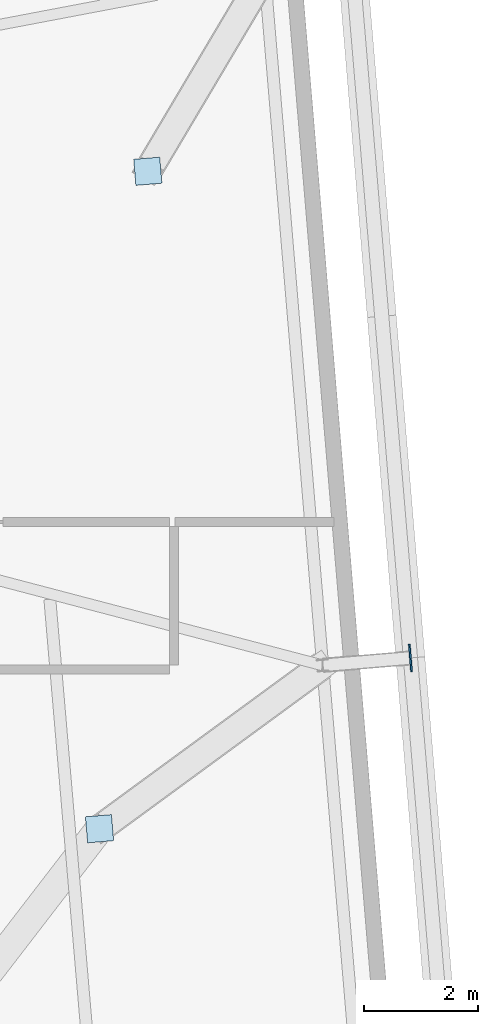
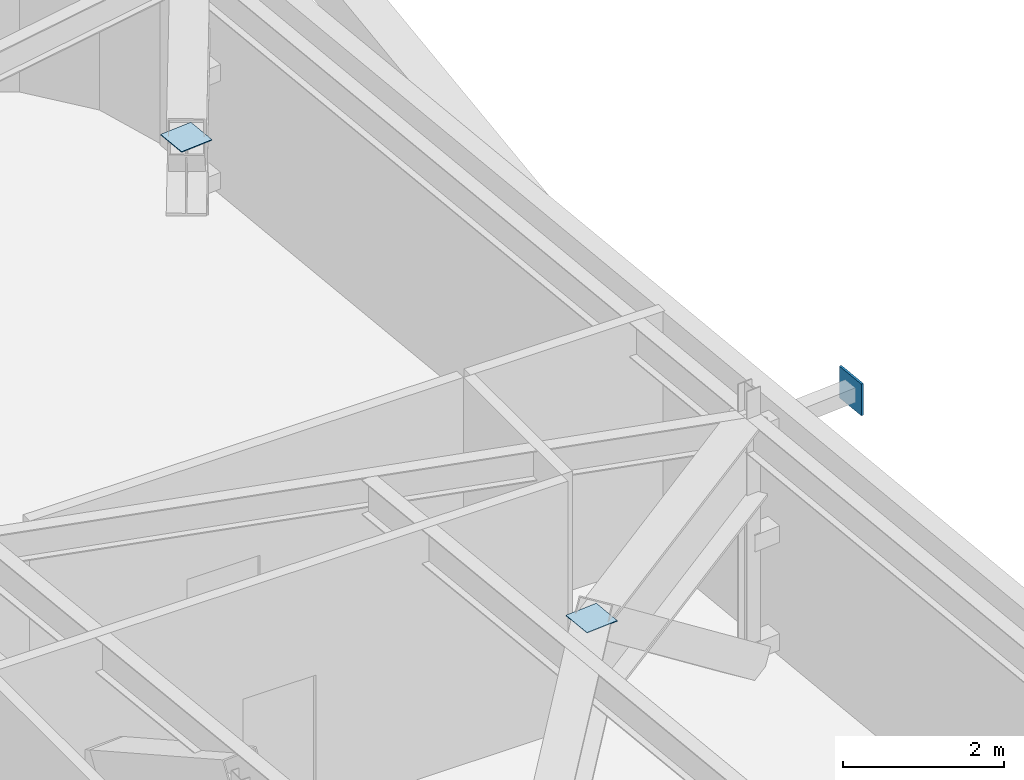
# One storey, part 19 of 26: 3 plates.
"""IFC4 building model written with IfcOpenShell, lengths in metres."""

from ifc_helpers import new_model, si_unit, direction, frame, origin, origin_2d, place, context, subcontext, project, spatial, rectangle, extrude, source, transform, mapped, material, layer, layer_set, type_object, element, save


model = new_model("IFC4")

# Units and contexts
model_context = context("Model", 3, precision=1e-05, world=origin(), true_north=direction((0.0, 1.0)))
body_context = subcontext(model_context, "Body", "Model", "MODEL_VIEW")
ifc_project = project(units=[si_unit("LENGTHUNIT", "METRE"), si_unit("AREAUNIT", "SQUARE_METRE"), si_unit("VOLUMEUNIT", "CUBIC_METRE"), si_unit("PLANEANGLEUNIT", "RADIAN"), si_unit("MASSUNIT", "GRAM", prefix="KILO")], contexts=[model_context])

# Site, building, storey
site_placement = place(None, origin())
site = spatial("IfcSite", under=ifc_project, at=site_placement, CompositionType="ELEMENT")
building_placement = place(site_placement, origin())
building = spatial("IfcBuilding", under=site, at=building_placement, Name="Taldren Reach Tower", CompositionType="ELEMENT")
storey_placement = place(building_placement, frame((0.0, 0.0, 207.199951171875)))
storey = spatial("IfcBuildingStorey", under=building, at=storey_placement, Name="L63", CompositionType="ELEMENT", Elevation=207.199951171875)

# Plates
ifc_material = material(Name="Steel Gr 450 (C450L0)", Category="steel")
ifc_layer_1 = layer(ifc_material, 0.011962890625)
ifc_layer_set_1 = layer_set([ifc_layer_1], Name="Steel Gr 450 (C450L0)")
plate_type_1 = type_object("IfcPlateType", Name="PL-CAP-460", PredefinedType="SHEET", material=ifc_layer_set_1)
shared_shape_1 = source(origin(), body_context, "Body", "SweptSolid", [
    extrude(rectangle(XDim=0.4599609375, YDim=0.4599609375, at=origin_2d()), origin(), (0.0, 0.0, 1.0), 0.011962890625),
])
for number, where, z_axis, x_axis, name in (
    (1, (56.69140625, 18.599853515625, 3.76806640625), (0.0, 0.0, 1.0), (0.99649285925, 0.083677843332, 0.0), "Transfer strut end cap plate TS-B5-E2 L63"),
    (2, (57.540771484375, 30.168701171875, 3.76806640625), (0.0, 0.0, 1.0), (0.99649285925, 0.083677843332, 0.0), "Transfer strut end cap plate TS-B5-E3 L63"),
):
    element("IfcPlate", number, at=place(storey_placement, frame(where, z_axis=z_axis, x_axis=x_axis)), inside=storey, type_object=plate_type_1, Name=name, PredefinedType="SHEET", context=body_context, shape_type="MappedRepresentation", body=[
        mapped(shared_shape_1, transform((0.0, 0.0, 0.0), scale=1.0)),
    ])
ifc_layer_2 = layer(ifc_material, 0.031982421875)
ifc_layer_set_2 = layer_set([ifc_layer_2], Name="Steel Gr 450 (C450L0)")
plate_type_2 = type_object("IfcPlateType", Name="PL-GUSSET-32", PredefinedType="SHEET", material=ifc_layer_set_2)
shared_shape_2 = source(origin(), body_context, "Body", "SweptSolid", [
    extrude(rectangle(XDim=0.47998046875, YDim=0.031982421875, at=origin_2d()), origin(), (0.0, 0.0, 1.0), 0.47998046875),
])
plate_placement = place(storey_placement, frame((62.161865234375, 21.6044921875, 3.260009765625), z_axis=(0.0, 0.0, 1.0), x_axis=(-0.083677843332, 0.99649285925, 0.0)))
element("IfcPlate", 3, at=plate_placement, inside=storey, type_object=plate_type_2, Name="Exoskeleton star-node gusset plate B4-E2 L63", PredefinedType="SHEET", context=body_context, shape_type="MappedRepresentation", body=[
    mapped(shared_shape_2, transform((0.0, 0.0, 0.0), scale=1.0)),
])

save(model, "model.ifc")
